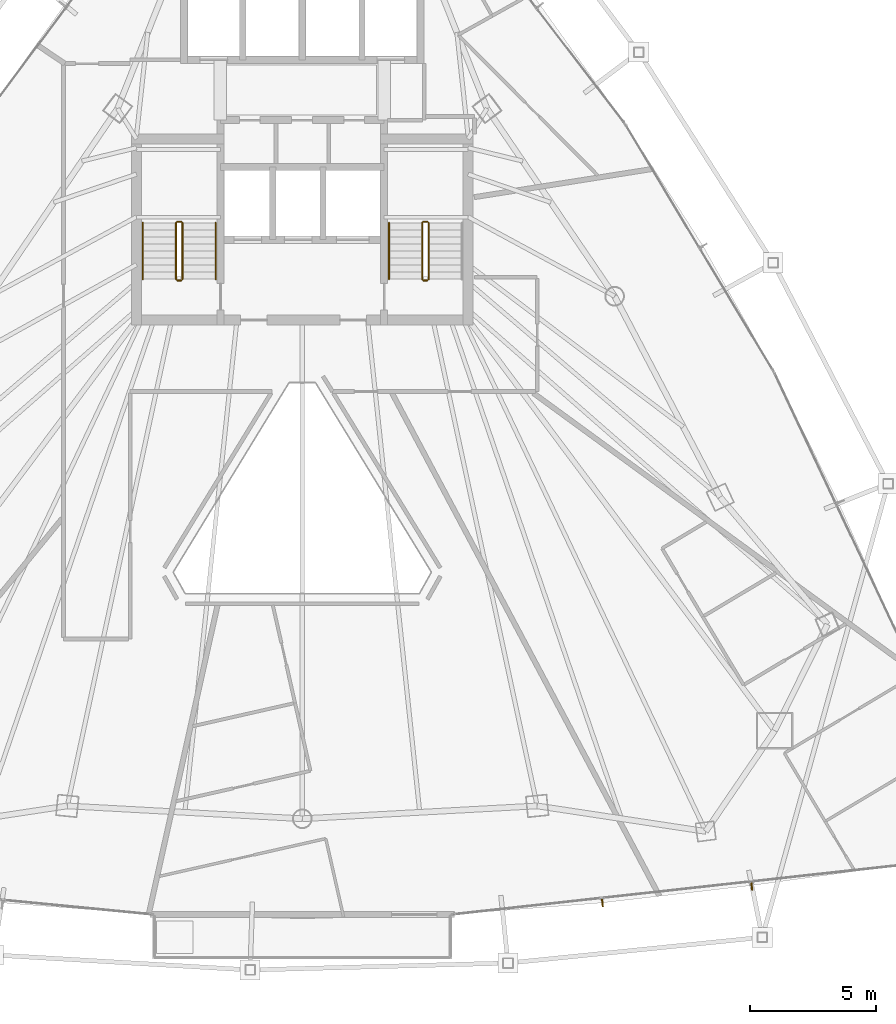
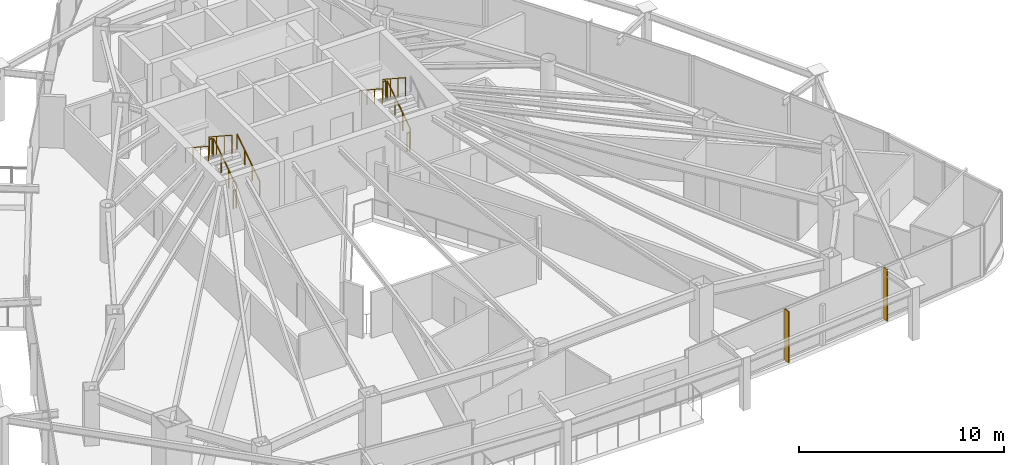
# One storey, part 32 of 33: 11 railings, 2 shading devices.
"""IFC4 building model written with IfcOpenShell, lengths in metres."""

from ifc_helpers import new_model, si_unit, direction, frame, origin, origin_2d, place, context, subcontext, project, spatial, rectangle, circle, extrude, material, layer, layer_set, type_object, element, save


model = new_model("IFC4")

# Units and contexts
model_context = context("Model", 3, precision=1e-05, world=origin(), true_north=direction((0.0, 1.0)))
body_context = subcontext(model_context, "Body", "Model", "MODEL_VIEW")
ifc_project = project(units=[si_unit("LENGTHUNIT", "METRE"), si_unit("AREAUNIT", "SQUARE_METRE"), si_unit("VOLUMEUNIT", "CUBIC_METRE"), si_unit("PLANEANGLEUNIT", "RADIAN"), si_unit("MASSUNIT", "GRAM", prefix="KILO")], contexts=[model_context])

# Site, building, storey
site_placement = place(None, origin())
site = spatial("IfcSite", under=ifc_project, at=site_placement, CompositionType="ELEMENT")
building_placement = place(site_placement, origin())
building = spatial("IfcBuilding", under=site, at=building_placement, Name="Orvanel Arch Residences", CompositionType="ELEMENT")
storey_placement = place(building_placement, frame((0.0, 0.0, 123.199951171875)))
storey = spatial("IfcBuildingStorey", under=building, at=storey_placement, Name="L34", CompositionType="ELEMENT", Elevation=123.199951171875)

# Shading devices
ifc_material_1 = material(Name="Bronze-anodised aluminium AA6063-T6", Category="aluminium")
ifc_layer = layer(ifc_material_1, 0.054931640625)
ifc_layer_set = layer_set([ifc_layer], Name="Bronze-anodised aluminium AA6063-T6")
shading_device_type = type_object("IfcShadingDeviceType", Name="FIN-BRZ-320", PredefinedType="USERDEFINED", material=ifc_layer_set)
for number, where, z_axis, x_axis, name in (
    (1, (44.945068359375, 3.5029296875, 0.0), (0.0, 0.0, 1.0), (0.109734311091, -0.993960955455, 0.0), "L34 Anodised Bronze Mullion FIN 01"),
    (2, (50.889892578125, 4.157958984375, 0.0), (0.0, 0.0, 1.0), (0.109734311091, -0.993960955455, 0.0), "L34 Anodised Bronze Mullion FIN 02"),
):
    element("IfcShadingDevice", number, at=place(storey_placement, frame(where, z_axis=z_axis, x_axis=x_axis)), inside=storey, type_object=shading_device_type, Name=name, ObjectType="FIN", PredefinedType="USERDEFINED", context=body_context, shape_type="SweptSolid", body=[
        extrude(rectangle(XDim=0.320068359375, YDim=0.054931640625, at=origin_2d()), origin(), (0.0, 0.0, 1.0), 3.06005859375),
    ])

# Railings
ifc_material_2 = material(Name="Structural steel AS/NZS 1163 C350L0 (Grade 350)", Category="steel")
railing_type_1 = type_object("IfcRailingType", Name="RL-STAIR-GUARD", PredefinedType="GUARDRAIL", material=ifc_material_2)
railing_1_placement = place(storey_placement, frame((28.22998046875, 28.320068359375, 0.183349609375)))
element("IfcRailing", 3, at=railing_1_placement, inside=storey, type_object=railing_type_1, Name="L34 ST-1 stair guard 1", PredefinedType="GUARDRAIL", context=body_context, shape_type="SweptSolid", body=[
    extrude(circle(Radius=0.02392578125, at=origin_2d()), frame((0.0, 0.001220703125, 1.076904296875), z_axis=(0.0, 0.836595146698, 0.547821650285), x_axis=(-1.0, 0.0, 0.0)), (0.0, 0.0, 1.0), 2.674560546875),
    extrude(circle(Radius=0.02099609375, at=origin_2d()), origin(), (0.0, 0.0, 1.0), 1.050048828125),
    extrude(circle(Radius=0.02099609375, at=origin_2d()), frame((0.0, 0.74658203125, 0.489013671875)), (0.0, 0.0, 1.0), 1.050048828125),
    extrude(circle(Radius=0.02099609375, at=origin_2d()), frame((0.0, 1.493408203125, 0.977783203125)), (0.0, 0.0, 1.0), 1.050048828125),
    extrude(circle(Radius=0.02099609375, at=origin_2d()), frame((0.0, 2.239990234375, 1.466796875)), (0.0, 0.0, 1.0), 1.050048828125),
])
railing_2_placement = place(storey_placement, frame((28.179931640625, 30.610107421875, 1.650146484375)))
element("IfcRailing", 4, at=railing_2_placement, inside=storey, type_object=railing_type_1, Name="L34 ST-1 stair guard 2", PredefinedType="GUARDRAIL", context=body_context, shape_type="SweptSolid", body=[
    extrude(circle(Radius=0.02392578125, at=origin_2d()), frame((-0.00146484375, 0.0, 1.076171875), z_axis=(-1.0, 0.0, 0.0), x_axis=(0.0, -1.0, 0.0)), (0.0, 0.0, 1.0), 0.156982421875),
    extrude(circle(Radius=0.02099609375, at=origin_2d()), origin(), (0.0, 0.0, 1.0), 1.050048828125),
    extrude(circle(Radius=0.02099609375, at=origin_2d()), frame((-0.159912109375, 0.0, 0.0)), (0.0, 0.0, 1.0), 1.050048828125),
])
railing_3_placement = place(storey_placement, frame((27.969970703125, 30.56005859375, 1.83349609375)))
element("IfcRailing", 5, at=railing_3_placement, inside=storey, type_object=railing_type_1, Name="L34 ST-1 stair guard 3", PredefinedType="GUARDRAIL", context=body_context, shape_type="SweptSolid", body=[
    extrude(circle(Radius=0.02392578125, at=origin_2d()), frame((0.0, -0.001220703125, 1.076904296875), z_axis=(0.0, -0.836636935527, 0.547757827979), x_axis=(1.0, 0.0, 0.0)), (0.0, 0.0, 1.0), 2.67431640625),
    extrude(circle(Radius=0.02099609375, at=origin_2d()), origin(), (0.0, 0.0, 1.0), 1.050048828125),
    extrude(circle(Radius=0.02099609375, at=origin_2d()), frame((0.0, -0.74658203125, 0.48876953125)), (0.0, 0.0, 1.0), 1.050048828125),
    extrude(circle(Radius=0.02099609375, at=origin_2d()), frame((0.0, -1.493408203125, 0.977783203125)), (0.0, 0.0, 1.0), 1.050048828125),
    extrude(circle(Radius=0.02099609375, at=origin_2d()), frame((0.0, -2.239990234375, 1.466552734375)), (0.0, 0.0, 1.0), 1.050048828125),
])
railing_4_placement = place(storey_placement, frame((28.179931640625, 28.27001953125, 0.0)))
element("IfcRailing", 6, at=railing_4_placement, inside=storey, type_object=railing_type_1, Name="L34 ST-1 stair guard 4", PredefinedType="GUARDRAIL", context=body_context, shape_type="SweptSolid", body=[
    extrude(circle(Radius=0.02392578125, at=origin_2d()), frame((-0.00146484375, 0.0, 1.076171875), z_axis=(-1.0, 0.0, 0.0), x_axis=(0.0, -1.0, 0.0)), (0.0, 0.0, 1.0), 0.156982421875),
    extrude(circle(Radius=0.02099609375, at=origin_2d()), origin(), (0.0, 0.0, 1.0), 1.050048828125),
    extrude(circle(Radius=0.02099609375, at=origin_2d()), frame((-0.159912109375, 0.0, 0.0)), (0.0, 0.0, 1.0), 1.050048828125),
])
railing_5_placement = place(storey_placement, frame((38.030029296875, 28.320068359375, 0.183349609375)))
element("IfcRailing", 7, at=railing_5_placement, inside=storey, type_object=railing_type_1, Name="L34 ST-2 stair guard 1", PredefinedType="GUARDRAIL", context=body_context, shape_type="SweptSolid", body=[
    extrude(circle(Radius=0.02392578125, at=origin_2d()), frame((0.0, 0.001220703125, 1.076904296875), z_axis=(0.0, 0.836595146698, 0.547821650285), x_axis=(-1.0, 0.0, 0.0)), (0.0, 0.0, 1.0), 2.674560546875),
    extrude(circle(Radius=0.02099609375, at=origin_2d()), origin(), (0.0, 0.0, 1.0), 1.050048828125),
    extrude(circle(Radius=0.02099609375, at=origin_2d()), frame((0.0, 0.74658203125, 0.489013671875)), (0.0, 0.0, 1.0), 1.050048828125),
    extrude(circle(Radius=0.02099609375, at=origin_2d()), frame((0.0, 1.493408203125, 0.977783203125)), (0.0, 0.0, 1.0), 1.050048828125),
    extrude(circle(Radius=0.02099609375, at=origin_2d()), frame((0.0, 2.239990234375, 1.466796875)), (0.0, 0.0, 1.0), 1.050048828125),
])
railing_6_placement = place(storey_placement, frame((37.97998046875, 30.610107421875, 1.650146484375)))
element("IfcRailing", 8, at=railing_6_placement, inside=storey, type_object=railing_type_1, Name="L34 ST-2 stair guard 2", PredefinedType="GUARDRAIL", context=body_context, shape_type="SweptSolid", body=[
    extrude(circle(Radius=0.02392578125, at=origin_2d()), frame((-0.00146484375, 0.0, 1.076171875), z_axis=(-1.0, 0.0, 0.0), x_axis=(0.0, -1.0, 0.0)), (0.0, 0.0, 1.0), 0.156982421875),
    extrude(circle(Radius=0.02099609375, at=origin_2d()), origin(), (0.0, 0.0, 1.0), 1.050048828125),
    extrude(circle(Radius=0.02099609375, at=origin_2d()), frame((-0.159912109375, 0.0, 0.0)), (0.0, 0.0, 1.0), 1.050048828125),
])
railing_7_placement = place(storey_placement, frame((37.77001953125, 30.56005859375, 1.83349609375)))
element("IfcRailing", 9, at=railing_7_placement, inside=storey, type_object=railing_type_1, Name="L34 ST-2 stair guard 3", PredefinedType="GUARDRAIL", context=body_context, shape_type="SweptSolid", body=[
    extrude(circle(Radius=0.02392578125, at=origin_2d()), frame((0.0, -0.001220703125, 1.076904296875), z_axis=(0.0, -0.836636935527, 0.547757827979), x_axis=(1.0, 0.0, 0.0)), (0.0, 0.0, 1.0), 2.67431640625),
    extrude(circle(Radius=0.02099609375, at=origin_2d()), origin(), (0.0, 0.0, 1.0), 1.050048828125),
    extrude(circle(Radius=0.02099609375, at=origin_2d()), frame((0.0, -0.74658203125, 0.48876953125)), (0.0, 0.0, 1.0), 1.050048828125),
    extrude(circle(Radius=0.02099609375, at=origin_2d()), frame((0.0, -1.493408203125, 0.977783203125)), (0.0, 0.0, 1.0), 1.050048828125),
    extrude(circle(Radius=0.02099609375, at=origin_2d()), frame((0.0, -2.239990234375, 1.466552734375)), (0.0, 0.0, 1.0), 1.050048828125),
])
railing_8_placement = place(storey_placement, frame((37.97998046875, 28.27001953125, 0.0)))
element("IfcRailing", 10, at=railing_8_placement, inside=storey, type_object=railing_type_1, Name="L34 ST-2 stair guard 4", PredefinedType="GUARDRAIL", context=body_context, shape_type="SweptSolid", body=[
    extrude(circle(Radius=0.02392578125, at=origin_2d()), frame((-0.00146484375, 0.0, 1.076171875), z_axis=(-1.0, 0.0, 0.0), x_axis=(0.0, -1.0, 0.0)), (0.0, 0.0, 1.0), 0.156982421875),
    extrude(circle(Radius=0.02099609375, at=origin_2d()), origin(), (0.0, 0.0, 1.0), 1.050048828125),
    extrude(circle(Radius=0.02099609375, at=origin_2d()), frame((-0.159912109375, 0.0, 0.0)), (0.0, 0.0, 1.0), 1.050048828125),
])
railing_type_2 = type_object("IfcRailingType", Name="RL-STAIR-HAND", PredefinedType="HANDRAIL", material=ifc_material_2)
railing_9_placement = place(storey_placement, frame((29.550048828125, 28.320068359375, 0.183349609375)))
element("IfcRailing", 11, at=railing_9_placement, inside=storey, type_object=railing_type_2, Name="L34 ST-1 stair handrail 1", PredefinedType="HANDRAIL", context=body_context, shape_type="SweptSolid", body=[
    extrude(circle(Radius=0.02392578125, at=origin_2d()), frame((0.0, 0.001220703125, 0.876708984375), z_axis=(0.0, 0.836595146698, 0.547821650285), x_axis=(-1.0, 0.0, 0.0)), (0.0, 0.0, 1.0), 2.674560546875),
    extrude(circle(Radius=0.02099609375, at=origin_2d()), origin(), (0.0, 0.0, 1.0), 0.849853515625),
    extrude(circle(Radius=0.02099609375, at=origin_2d()), frame((0.0, 0.74658203125, 0.489013671875)), (0.0, 0.0, 1.0), 0.849853515625),
    extrude(circle(Radius=0.02099609375, at=origin_2d()), frame((0.0, 1.493408203125, 0.977783203125)), (0.0, 0.0, 1.0), 0.849853515625),
    extrude(circle(Radius=0.02099609375, at=origin_2d()), frame((0.0, 2.239990234375, 1.466796875)), (0.0, 0.0, 1.0), 0.849853515625),
])
for number, where, name in (
    (12, (26.64990234375, 30.56005859375, 1.83349609375), "L34 ST-1 stair handrail 2"),
    (13, (36.449951171875, 30.56005859375, 1.83349609375), "L34 ST-2 stair handrail 2"),
):
    element("IfcRailing", number, at=place(storey_placement, frame(where)), inside=storey, type_object=railing_type_2, Name=name, PredefinedType="HANDRAIL", context=body_context, shape_type="SweptSolid", body=[
        extrude(circle(Radius=0.02392578125, at=origin_2d()), frame((0.0, -0.001220703125, 0.876708984375), z_axis=(0.0, -0.836636935527, 0.547757827979), x_axis=(1.0, 0.0, 0.0)), (0.0, 0.0, 1.0), 2.67431640625),
        extrude(circle(Radius=0.02099609375, at=origin_2d()), origin(), (0.0, 0.0, 1.0), 0.849853515625),
        extrude(circle(Radius=0.02099609375, at=origin_2d()), frame((0.0, -0.74658203125, 0.48876953125)), (0.0, 0.0, 1.0), 0.849853515625),
        extrude(circle(Radius=0.02099609375, at=origin_2d()), frame((0.0, -1.493408203125, 0.977783203125)), (0.0, 0.0, 1.0), 0.849853515625),
        extrude(circle(Radius=0.02099609375, at=origin_2d()), frame((0.0, -2.239990234375, 1.466552734375)), (0.0, 0.0, 1.0), 0.849853515625),
    ])

save(model, "model.ifc")
